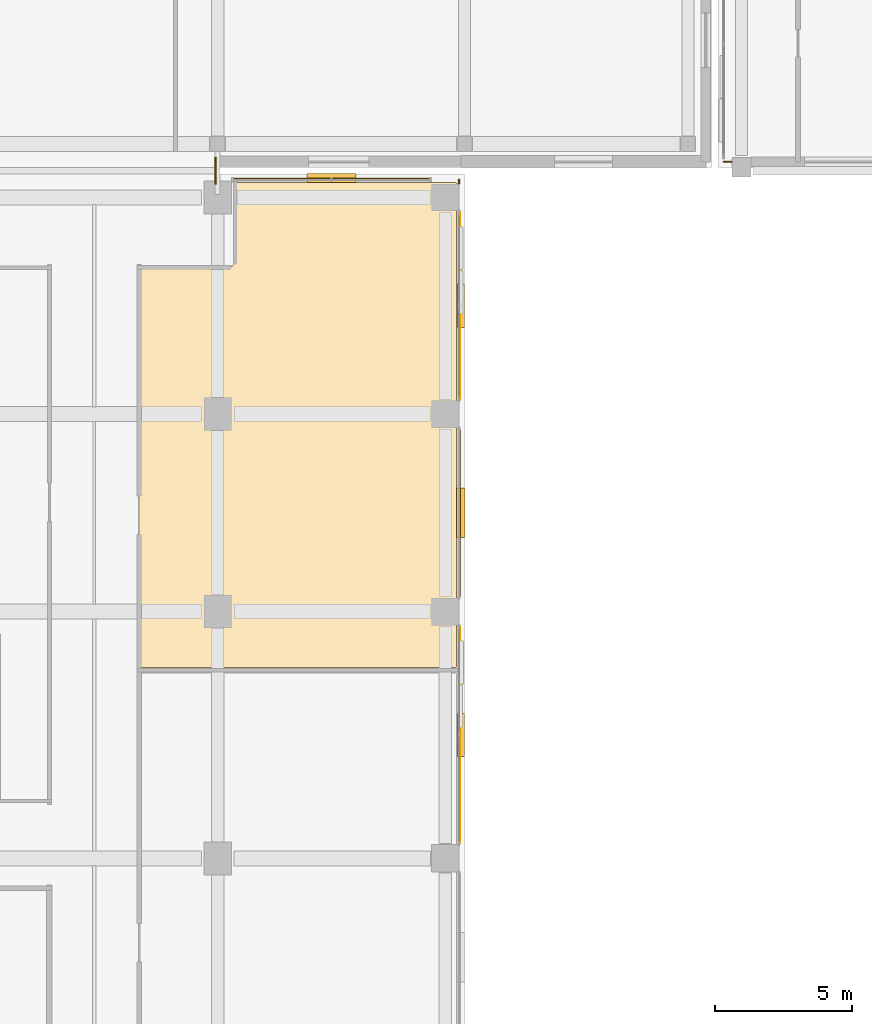
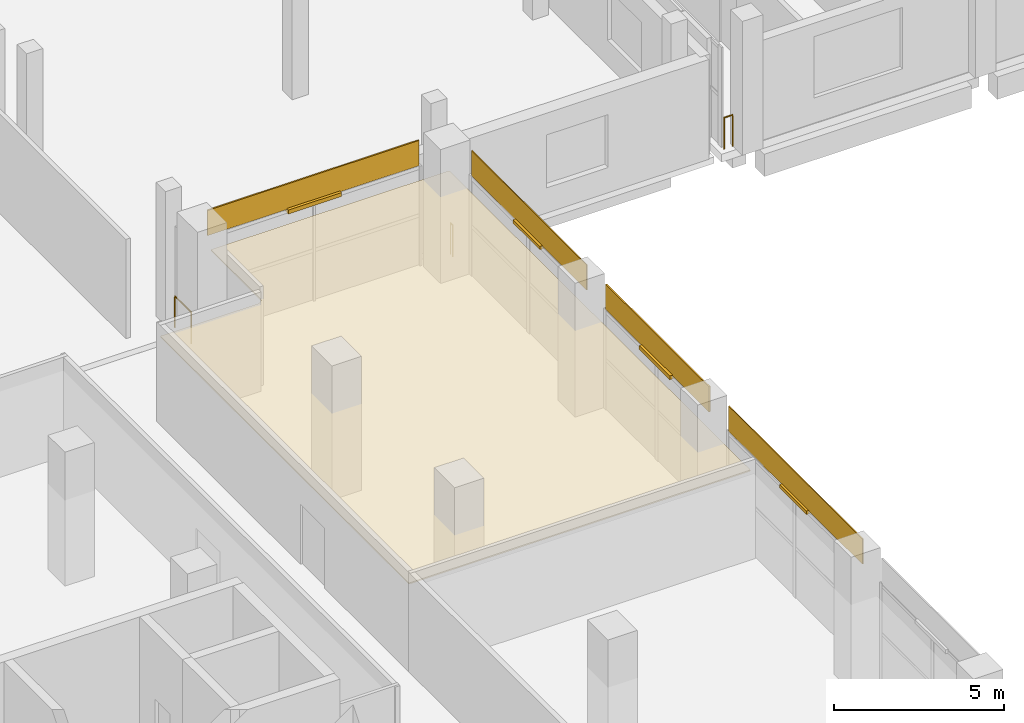
# One storey, part 99 of 111: 5 coverings, 4 shading devices, 3 railings.
"""IFC4 building model written with IfcOpenShell, lengths in metres."""

from ifc_helpers import new_model, si_unit, direction, frame, origin, origin_2d, place, context, subcontext, project, spatial, polyline, rectangle, circle, outline, extrude, material, layer, layer_set, type_object, element, save


model = new_model("IFC4")

# Units and contexts
model_context = context("Model", 3, precision=1e-05, world=origin(), true_north=direction((0.0, 1.0)))
body_context = subcontext(model_context, "Body", "Model", "MODEL_VIEW")
ifc_project = project(units=[si_unit("LENGTHUNIT", "METRE"), si_unit("AREAUNIT", "SQUARE_METRE"), si_unit("VOLUMEUNIT", "CUBIC_METRE"), si_unit("PLANEANGLEUNIT", "RADIAN"), si_unit("MASSUNIT", "GRAM", prefix="KILO"), si_unit("THERMODYNAMICTEMPERATUREUNIT", "KELVIN"), si_unit("POWERUNIT", "WATT")], contexts=[model_context])

# Site, building, storey
site_placement = place(None, origin())
site = spatial("IfcSite", under=ifc_project, at=site_placement, CompositionType="ELEMENT")
building_placement = place(site_placement, origin())
building = spatial("IfcBuilding", under=site, at=building_placement, Name="Sindhuravela Promenade Stadium", CompositionType="ELEMENT")
storey_placement = place(building_placement, frame((0.0, 0.0, 9.60009765625)))
storey = spatial("IfcBuildingStorey", under=building, at=storey_placement, Name="L02", CompositionType="ELEMENT", Elevation=9.60009765625)

# Coverings
ifc_material_1 = material(Name="Acoustic mineral-fibre ceiling tile", Category="gypsum")
ifc_layer_1 = layer(ifc_material_1, 0.044921875)
ifc_layer_set_1 = layer_set([ifc_layer_1], Name="Acoustic mineral-fibre ceiling tile")
covering_type_1 = type_object("IfcCoveringType", Name="CV-CEIL-2", PredefinedType="CEILING", material=ifc_layer_set_1)
covering_1_placement = place(storey_placement, frame((0.0, 0.0, 3.0498046875)))
element("IfcCovering", 1, at=covering_1_placement, inside=storey, type_object=covering_type_1, Name="Acoustic ceiling West Club Lounge 2", PredefinedType="CEILING", context=body_context, shape_type="SweptSolid", body=[
    extrude(outline(polyline([(44.699951171875, 107.778076171875), (44.699951171875, 107.77587890625), (44.69970703125, 107.774169921875), (44.69921875, 107.772216796875), (44.698486328125, 107.770263671875), (44.697509765625, 107.7685546875), (44.696533203125, 107.766845703125), (44.695556640625, 107.765380859375), (44.694091796875, 107.763916015625), (44.692626953125, 107.762451171875), (44.691162109375, 107.761474609375), (44.689453125, 107.760498046875), (44.687744140625, 107.759521484375), (44.685791015625, 107.7587890625), (44.683837890625, 107.75830078125), (44.681884765625, 107.758056640625), (44.679931640625, 107.758056640625), (33.139892578125, 107.758056640625), (33.137939453125, 107.758056640625), (33.135986328125, 107.75830078125), (33.13427734375, 107.7587890625), (33.13232421875, 107.759521484375), (33.130615234375, 107.760498046875), (33.12890625, 107.761474609375), (33.127197265625, 107.762451171875), (33.1259765625, 107.763916015625), (33.12451171875, 107.765380859375), (33.123291015625, 107.766845703125), (33.122314453125, 107.7685546875), (33.12158203125, 107.770263671875), (33.120849609375, 107.772216796875), (33.120361328125, 107.774169921875), (33.1201171875, 107.77587890625), (33.1201171875, 107.778076171875), (33.1201171875, 122.340087890625), (33.1201171875, 122.342041015625), (33.120361328125, 122.343994140625), (33.120849609375, 122.345703125), (33.12158203125, 122.34765625), (33.122314453125, 122.349365234375), (33.123291015625, 122.35107421875), (33.12451171875, 122.352783203125), (33.1259765625, 122.35400390625), (33.127197265625, 122.35546875), (33.12890625, 122.356689453125), (33.130615234375, 122.357666015625), (33.13232421875, 122.3583984375), (33.13427734375, 122.359130859375), (33.135986328125, 122.359619140625), (33.137939453125, 122.35986328125), (33.139892578125, 122.360107421875), (36.3994140625, 122.360107421875), (36.421630859375, 122.361083984375), (36.44287109375, 122.3642578125), (36.4638671875, 122.369384765625), (36.484130859375, 122.376708984375), (36.503662109375, 122.385986328125), (36.522216796875, 122.397216796875), (36.53955078125, 122.409912109375), (36.555419921875, 122.424560546875), (36.570068359375, 122.4404296875), (36.5830078125, 122.457763671875), (36.593994140625, 122.476318359375), (36.603271484375, 122.495849609375), (36.610595703125, 122.51611328125), (36.61572265625, 122.537109375), (36.618896484375, 122.558349609375), (36.6201171875, 122.58056640625), (36.6201171875, 125.429931640625), (36.6201171875, 125.431884765625), (36.620361328125, 125.433837890625), (36.620849609375, 125.435791015625), (36.62158203125, 125.437744140625), (36.622314453125, 125.439453125), (36.623291015625, 125.441162109375), (36.62451171875, 125.442626953125), (36.6259765625, 125.444091796875), (36.627197265625, 125.445556640625), (36.62890625, 125.446533203125), (36.630615234375, 125.447509765625), (36.63232421875, 125.448486328125), (36.63427734375, 125.44921875), (36.635986328125, 125.44970703125), (36.637939453125, 125.449951171875), (36.639892578125, 125.449951171875), (44.679931640625, 125.449951171875), (44.681884765625, 125.449951171875), (44.683837890625, 125.44970703125), (44.685791015625, 125.44921875), (44.687744140625, 125.448486328125), (44.689453125, 125.447509765625), (44.691162109375, 125.446533203125), (44.692626953125, 125.445556640625), (44.694091796875, 125.444091796875), (44.695556640625, 125.442626953125), (44.696533203125, 125.441162109375), (44.697509765625, 125.439453125), (44.698486328125, 125.437744140625), (44.69921875, 125.435791015625), (44.69970703125, 125.433837890625), (44.699951171875, 125.431884765625), (44.699951171875, 125.429931640625), (44.699951171875, 107.778076171875)])), origin(), (0.0, 0.0, 1.0), 0.045166015625),
])
ifc_material_2 = material(Name="Polychrome trencadis ceramic mosaic", Category="masonry")
ifc_layer_2 = layer(ifc_material_2, 0.034912109375)
ifc_layer_set_2 = layer_set([ifc_layer_2], Name="Polychrome trencadis ceramic mosaic")
covering_type_2 = type_object("IfcCoveringType", Name="CV-TRENC-1", PredefinedType="CLADDING", material=ifc_layer_set_2)
covering_2_placement = place(storey_placement, frame((44.820068359375, 120.949951171875, 3.5546875), z_axis=(0.0, 0.0, 1.0), x_axis=(0.0, -1.0, 0.0)))
element("IfcCovering", 2, at=covering_2_placement, inside=storey, type_object=covering_type_2, Name="Trencadis ceramic mosaic spandrel frieze WEST L02-48", PredefinedType="CLADDING", context=body_context, shape_type="SweptSolid", body=[
    extrude(rectangle(XDim=6.77001953125, YDim=0.034912109375, at=origin_2d()), origin(), (0.0, 0.0, 1.0), 0.905029296875),
])
covering_3_placement = place(storey_placement, frame((44.820068359375, 105.300048828125, 3.5546875), z_axis=(0.0, 0.0, 1.0), x_axis=(0.0, -1.0, 0.0)))
element("IfcCovering", 3, at=covering_3_placement, inside=storey, type_object=covering_type_2, Name="Trencadis ceramic mosaic spandrel frieze WEST L02-50", PredefinedType="CLADDING", context=body_context, shape_type="SweptSolid", body=[
    extrude(rectangle(XDim=7.8701171875, YDim=0.034912109375, at=origin_2d()), origin(), (0.0, 0.0, 1.0), 0.905029296875),
])
ifc_layer_3 = layer(ifc_material_2, 0.050048828125)
ifc_layer_set_3 = layer_set([ifc_layer_3], Name="Polychrome trencadis ceramic mosaic")
covering_type_3 = type_object("IfcCoveringType", Name="CV-TRENC-2", PredefinedType="CLADDING", material=ifc_layer_set_3)
covering_4_placement = place(storey_placement, frame((40.14990234375, 125.570068359375, 3.5546875), z_axis=(0.0, 0.0, 1.0), x_axis=(1.0, 0.0, 0.0)))
element("IfcCovering", 4, at=covering_4_placement, inside=storey, type_object=covering_type_3, Name="Trencadis ceramic mosaic spandrel frieze WEST L02-47", PredefinedType="CLADDING", context=body_context, shape_type="SweptSolid", body=[
    extrude(rectangle(XDim=7.169921875, YDim=0.050048828125, at=origin_2d()), origin(), (0.0, 0.0, 1.0), 0.905029296875),
])
covering_5_placement = place(storey_placement, frame((44.820068359375, 113.39990234375, 3.5546875), z_axis=(0.0, 0.0, 1.0), x_axis=(0.0, -1.0, 0.0)))
element("IfcCovering", 5, at=covering_5_placement, inside=storey, type_object=covering_type_3, Name="Trencadis ceramic mosaic spandrel frieze WEST L02-49", PredefinedType="CLADDING", context=body_context, shape_type="SweptSolid", body=[
    extrude(rectangle(XDim=6.070068359375, YDim=0.050048828125, at=origin_2d()), origin(), (0.0, 0.0, 1.0), 0.905029296875),
])

# Railings
ifc_material_3 = material(Name="Architectural wrought steel E350", Category="steel")
railing_type = type_object("IfcRailingType", Name="RL-GRD-1150", PredefinedType="GUARDRAIL", material=ifc_material_3)
railing_1_placement = place(storey_placement, frame((44.800048828125, 125.550048828125, 0.0)))
element("IfcRailing", 6, at=railing_1_placement, inside=storey, type_object=railing_type, Name="Perimeter edge return guard WEST L02", PredefinedType="GUARDRAIL", context=body_context, shape_type="SweptSolid", body=[
    extrude(circle(Radius=0.02392578125, at=origin_2d()), frame((0.0, 0.0, 1.1259765625), z_axis=(0.0, -1.0, 0.0), x_axis=(1.0, 0.0, 0.0)), (0.0, 0.0, 1.0), 0.14501953125),
    extrude(circle(Radius=0.02099609375, at=origin_2d()), origin(), (0.0, 0.0, 1.0), 1.101806640625),
    extrude(circle(Radius=0.02099609375, at=origin_2d()), frame((0.0, -0.14501953125, 0.0)), (0.0, 0.0, 1.0), 1.101806640625),
])
railing_2_placement = place(storey_placement, frame((54.7451171875, 126.199951171875, 0.0)))
element("IfcRailing", 7, at=railing_2_placement, inside=storey, type_object=railing_type, Name="Perimeter edge return guard NORTH L02", PredefinedType="GUARDRAIL", context=body_context, shape_type="SweptSolid", body=[
    extrude(circle(Radius=0.02392578125, at=origin_2d()), frame((0.0, 0.0, 1.1259765625), z_axis=(-1.0, 0.0, 0.0), x_axis=(0.0, -1.0, 0.0)), (0.0, 0.0, 1.0), 0.295166015625),
    extrude(circle(Radius=0.02099609375, at=origin_2d()), origin(), (0.0, 0.0, 1.0), 1.101806640625),
    extrude(circle(Radius=0.02099609375, at=origin_2d()), frame((-0.295166015625, 0.0, 0.0)), (0.0, 0.0, 1.0), 1.101806640625),
])
railing_3_placement = place(storey_placement, frame((35.919921875, 125.39990234375, 0.0)))
element("IfcRailing", 8, at=railing_3_placement, inside=storey, type_object=railing_type, Name="Bridge edge guardrail GR01-76", PredefinedType="GUARDRAIL", context=body_context, shape_type="SweptSolid", body=[
    extrude(circle(Radius=0.02392578125, at=origin_2d()), frame((0.0, 0.0, 1.1259765625), z_axis=(0.0, 1.0, 0.0), x_axis=(-1.0, 0.0, 0.0)), (0.0, 0.0, 1.0), 0.9501953125),
    extrude(circle(Radius=0.02099609375, at=origin_2d()), origin(), (0.0, 0.0, 1.0), 1.101806640625),
    extrude(circle(Radius=0.02099609375, at=origin_2d()), frame((0.0, 0.9501953125, 0.0)), (0.0, 0.0, 1.0), 1.101806640625),
])

# Shading devices
ifc_material_4 = material(Name="Perforated terracotta celosia brick (15 MPa)", Category="masonry")
shading_device_type_1 = type_object("IfcShadingDeviceType", Name="SH-JAL-1", PredefinedType="JALOUSIE", material=ifc_material_4)
for number, where, z_axis, x_axis, name in (
    (9, (44.860107421875, 120.949951171875, 3.4599609375), (0.0, 0.0, 1.0), (0.0, -1.0, 0.0), "Terracotta solar shading louvre WEST L02-14"),
    (10, (44.860107421875, 105.300048828125, 3.4599609375), (0.0, 0.0, 1.0), (0.0, -1.0, 0.0), "Terracotta solar shading louvre WEST L02-16"),
):
    element("IfcShadingDevice", number, at=place(storey_placement, frame(where, z_axis=z_axis, x_axis=x_axis)), inside=storey, type_object=shading_device_type_1, Name=name, PredefinedType="JALOUSIE", context=body_context, shape_type="SweptSolid", body=[
        extrude(rectangle(XDim=1.580078125, YDim=0.280029296875, at=origin_2d()), origin(), (0.0, 0.0, 1.0), 0.1201171875),
    ])
shading_device_type_2 = type_object("IfcShadingDeviceType", Name="SH-JAL-2", PredefinedType="JALOUSIE", material=ifc_material_4)
for number, where, z_axis, x_axis, name in (
    (11, (40.14990234375, 125.610107421875, 3.4501953125), (0.0, 0.0, 1.0), (1.0, 0.0, 0.0), "Terracotta solar shading louvre WEST L02-13"),
    (12, (44.860107421875, 113.39990234375, 3.4501953125), (0.0, 0.0, 1.0), (0.0, -1.0, 0.0), "Terracotta solar shading louvre WEST L02-15"),
):
    element("IfcShadingDevice", number, at=place(storey_placement, frame(where, z_axis=z_axis, x_axis=x_axis)), inside=storey, type_object=shading_device_type_2, Name=name, PredefinedType="JALOUSIE", context=body_context, shape_type="SweptSolid", body=[
        extrude(rectangle(XDim=1.800048828125, YDim=0.320068359375, at=origin_2d()), origin(), (0.0, 0.0, 1.0), 0.139892578125),
    ])

save(model, "model.ifc")
